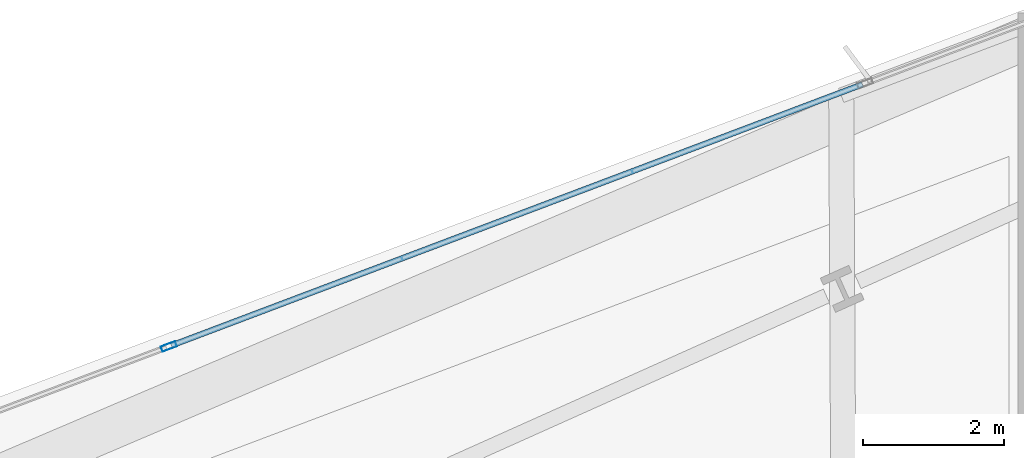
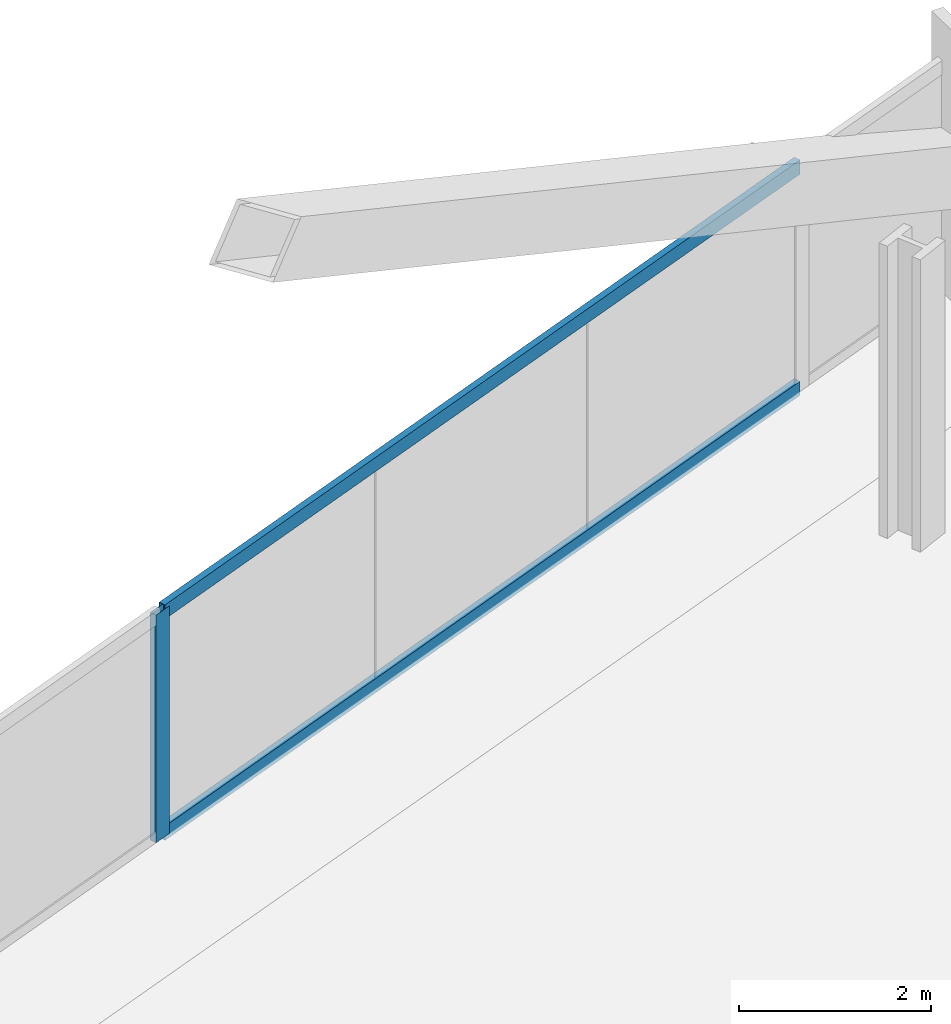
# One storey, part 20 of 37: 3 members, 1 element without a shape of its own.
"""IFC4 building model written with IfcOpenShell, lengths in metres."""

import ifcopenshell
import ifcopenshell.guid

model = None  # the IFC model being written
_history = None  # IfcOwnerHistory: only IFC2X3 demands one
_inside = {}  # id of a spatial element -> (the spatial element, [elements in it])
_under = {}  # id of a project, library or spatial element -> (it, [spatial elements below it])
_declared = {}  # id of a project -> (the project, [libraries it declares])
_typed = {}  # id of a type object -> (the type object, [elements of that type])
_made_of = {}  # id of a material, layer set ... -> (it, [elements and type objects made of it])


def new_model(schema):
    """Start an empty IFC model of exactly this schema.

    Asked for "IFC4X3", IfcOpenShell would pick the latest addendum, in which some entities
    have other attributes; the version numbers below select the first issue.
    IFC2X3 requires an IfcOwnerHistory on every rooted entity: one is made here for all.
    """
    global model, _history
    if schema == "IFC4X3":
        model = ifcopenshell.file(schema_version=(4, 3, 0, 0))
    else:
        model = ifcopenshell.file(schema=schema)
    _inside.clear()
    _under.clear()
    _declared.clear()
    _typed.clear()
    _made_of.clear()
    _history = None
    if model.schema == "IFC2X3":
        org = make("IfcOrganization", Name="unknown")
        user = make(
            "IfcPersonAndOrganization",
            ThePerson=make("IfcPerson", FamilyName="unknown"),
            TheOrganization=org,
        )
        app = make(
            "IfcApplication",
            ApplicationDeveloper=org,
            Version="unknown",
            ApplicationFullName="unknown",
            ApplicationIdentifier="unknown",
        )
        _history = make(
            "IfcOwnerHistory",
            OwningUser=user,
            OwningApplication=app,
            ChangeAction="ADDED",
            CreationDate=0,
        )
    return model


def make(cls, **values):
    """One entity of the class cls with the attributes given. An attribute that is None is left unset."""
    return model.create_entity(
        cls, **{name: value for name, value in values.items() if value is not None}
    )


def rooted(cls, **values):
    """An entity with a GlobalId (a new one), such as an element, a storey or a relation."""
    return make(cls, GlobalId=ifcopenshell.guid.new(), OwnerHistory=_history, **values)


def si_unit(unit_type, name, prefix=None):
    """IfcSIUnit, for example si_unit("LENGTHUNIT", "METRE", prefix="MILLI")."""
    return make("IfcSIUnit", UnitType=unit_type, Prefix=prefix, Name=name)


def assignment(units):
    """IfcUnitAssignment: the units of a project."""
    return None if units is None else make("IfcUnitAssignment", Units=units)


def point(xyz):
    """IfcCartesianPoint."""
    return None if xyz is None else make("IfcCartesianPoint", Coordinates=xyz)


def direction(xyz):
    """IfcDirection."""
    return None if xyz is None else make("IfcDirection", DirectionRatios=xyz)


def frame(location, z_axis=None, x_axis=None):
    """IfcAxis2Placement3D, a coordinate frame: its origin and axes. An axis left out is left unset."""
    return make(
        "IfcAxis2Placement3D",
        Location=point(location),
        Axis=direction(z_axis),
        RefDirection=direction(x_axis),
    )


def frame_2d(location, x_axis=None):
    """IfcAxis2Placement2D, a coordinate frame in the plane: its origin and x axis."""
    return make(
        "IfcAxis2Placement2D", Location=point(location), RefDirection=direction(x_axis)
    )


def origin():
    """The frame at (0, 0, 0) with its axes left unset."""
    return frame((0.0, 0.0, 0.0))


def origin_2d():
    """The frame at (0, 0) in the plane with its x axis left unset."""
    return frame_2d((0.0, 0.0))


def place(relative_to, where):
    """IfcLocalPlacement: puts the frame where relative to a parent placement (None: the world)."""
    return make(
        "IfcLocalPlacement", PlacementRelTo=relative_to, RelativePlacement=where
    )


def context(
    kind, dimensions, precision=None, world=None, true_north=None, identifier=None
):
    """IfcGeometricRepresentationContext, for example the 3D "Model" context."""
    return make(
        "IfcGeometricRepresentationContext",
        ContextIdentifier=identifier,
        ContextType=kind,
        CoordinateSpaceDimension=dimensions,
        Precision=precision,
        WorldCoordinateSystem=world,
        TrueNorth=true_north,
    )


def subcontext(parent, identifier, kind, view, scale=None):
    """IfcGeometricRepresentationSubContext, for example "Body" below "Model"."""
    return make(
        "IfcGeometricRepresentationSubContext",
        ContextIdentifier=identifier,
        ContextType=kind,
        ParentContext=parent,
        TargetScale=scale,
        TargetView=view,
    )


def project(units=None, contexts=None):
    """IfcProject with its units and contexts."""
    return rooted(
        "IfcProject",
        Name="project",
        RepresentationContexts=contexts,
        UnitsInContext=assignment(units),
    )


def spatial(cls, under=None, at=None, **own):
    """A site, building, storey or space (cls), placed at a placement, below another one or the project."""
    s = rooted(cls, ObjectPlacement=at, **own)
    if under is not None:
        _under.setdefault(under.id(), (under, []))[1].append(s)
    return s


def profile(cls, at=None, kind="AREA", **sizes):
    """A parametric profile (cls). Its sizes go by their IFC names, for example OverallWidth=200.0."""
    return make(cls, ProfileType=kind, Position=at, **sizes)


def hollow_rectangle(**sizes):
    """IfcRectangleHollowProfileDef."""
    return profile("IfcRectangleHollowProfileDef", **sizes)


def extrude(swept, where, along, depth):
    """IfcExtrudedAreaSolid: the profile swept, set in the frame where, extruded along a direction by depth."""
    return make(
        "IfcExtrudedAreaSolid",
        SweptArea=swept,
        Position=where,
        ExtrudedDirection=direction(along),
        Depth=depth,
    )


def shape(context_of_items, identifier, shape_type, items):
    """IfcShapeRepresentation: the items that make up one representation, for example the "Body"."""
    return make(
        "IfcShapeRepresentation",
        ContextOfItems=context_of_items,
        RepresentationIdentifier=identifier,
        RepresentationType=shape_type,
        Items=items,
    )


def material(Name=None, Category=None):
    """IfcMaterial."""
    return make("IfcMaterial", Name=Name, Category=Category)


def material_profile(
    of_material, cross_section, Name=None, Category=None, Priority=None
):
    """IfcMaterialProfile: a cross section and its material."""
    return make(
        "IfcMaterialProfile",
        Name=Name,
        Material=of_material,
        Profile=cross_section,
        Priority=Priority,
        Category=Category,
    )


def profile_set(profiles, Name=None, composite=None):
    """IfcMaterialProfileSet."""
    return make(
        "IfcMaterialProfileSet",
        Name=Name,
        MaterialProfiles=profiles,
        CompositeProfile=composite,
    )


def made_of(thing, what):
    """Note that an element or type object is made of a material, layer set ...; save() writes the relation."""
    if what is not None:
        _made_of.setdefault(what.id(), (what, []))[1].append(thing)
    return thing


def type_object(cls, material=None, **own):
    """A type object (cls), such as IfcWallType, which elements share."""
    return made_of(rooted(cls, **own), material)


def element(
    cls,
    number,
    at=None,
    inside=None,
    cuts=None,
    type_object=None,
    material=None,
    context=None,
    identifier="Body",
    shape_type=None,
    held_by="IfcProductDefinitionShape",
    body=None,
    shapes=None,
    **own,
):
    """One element of the class cls, such as IfcWall. Its Tag is "e" and its number.

    at: its placement. inside: the storey or other place that contains it. cuts: it is an
    opening in that element (IfcRelVoidsElement). A single representation is given by context,
    identifier, shape_type and body (its items); several are given by shapes. held_by: the class
    of the entity that holds the representations. save() writes the other relations.
    """
    e = rooted(cls, Tag="e%d" % number, ObjectPlacement=at, **own)
    if body is not None:
        shapes = [shape(context, identifier, shape_type, body)]
    if shapes is not None:
        e.Representation = make(held_by, Representations=shapes)
    if inside is not None:
        _inside.setdefault(inside.id(), (inside, []))[1].append(e)
    if cuts is not None:
        rooted(
            "IfcRelVoidsElement", RelatingBuildingElement=cuts, RelatedOpeningElement=e
        )
    if type_object is not None:
        _typed.setdefault(type_object.id(), (type_object, []))[1].append(e)
    return made_of(e, material)


def aggregate(whole, parts):
    """IfcRelAggregates: a whole, such as a stair, and the parts it consists of."""
    return rooted("IfcRelAggregates", RelatingObject=whole, RelatedObjects=parts)


def save(model, path):
    """Write the relations noted so far, then the file.

    IfcRelAggregates (storeys below a building ...), IfcRelContainedInSpatialStructure (elements
    in a storey), IfcRelDefinesByType, IfcRelAssociatesMaterial and IfcRelDeclares: one each for
    every whole, place, type object, material and project.
    """
    for whole, parts in _under.values():
        aggregate(whole, parts)
    for where, things in _inside.values():
        rooted(
            "IfcRelContainedInSpatialStructure",
            RelatedElements=things,
            RelatingStructure=where,
        )
    for kind, things in _typed.values():
        rooted("IfcRelDefinesByType", RelatedObjects=things, RelatingType=kind)
    for what, things in _made_of.values():
        rooted("IfcRelAssociatesMaterial", RelatedObjects=things, RelatingMaterial=what)
    for by, libraries in _declared.values():
        rooted("IfcRelDeclares", RelatingContext=by, RelatedDefinitions=libraries)
    model.write(path)


model = new_model("IFC4")

# Units and contexts
model_context = context("Model", 3, precision=1e-05, world=origin(), true_north=direction((0.0, 1.0)))
body_context = subcontext(model_context, "Body", "Model", "MODEL_VIEW")
ifc_project = project(units=[si_unit("LENGTHUNIT", "METRE"), si_unit("AREAUNIT", "SQUARE_METRE"), si_unit("VOLUMEUNIT", "CUBIC_METRE"), si_unit("PLANEANGLEUNIT", "RADIAN"), si_unit("MASSUNIT", "GRAM", prefix="KILO")], contexts=[model_context])

# Site, building, storey
site_placement = place(None, origin())
site = spatial("IfcSite", under=ifc_project, at=site_placement, CompositionType="ELEMENT")
building_placement = place(site_placement, origin())
building = spatial("IfcBuilding", under=site, at=building_placement, Name="Haldenkirk Collegiate Tower", CompositionType="ELEMENT")
storey_placement = place(building_placement, frame((0.0, 0.0, 97.949951171875)))
storey = spatial("IfcBuildingStorey", under=building, at=storey_placement, Name="L23", CompositionType="ELEMENT", Elevation=97.949951171875)

# Curtain wall, members
ifc_material = material(Name="Anodised architectural bronze aluminium", Category="aluminium")
curtain_wall_type = type_object("IfcCurtainWallType", Name="CW-SYS1-CONVEX-LOW", PredefinedType="USERDEFINED", material=ifc_material)
curtain_wall_placement = place(storey_placement, origin())
curtain_wall = element("IfcCurtainWall", 1, at=curtain_wall_placement, inside=storey, type_object=curtain_wall_type, Name="L23 Lower tower convex bronze-framed unitised curtain wall", ObjectType="UNITISED CURTAIN WALL", PredefinedType="USERDEFINED")
ifc_material_profile_1 = material_profile(ifc_material, hollow_rectangle(XDim=0.080078125, YDim=0.219970703125, WallThickness=0.0048828125, at=origin_2d()), Name="CW-MUL-1A")
ifc_profile_set_1 = profile_set([ifc_material_profile_1], Name="Anodised architectural bronze aluminium")
member_type_1 = type_object("IfcMemberType", Name="CW-MUL-1A", PredefinedType="MULLION", material=ifc_profile_set_1)
member_1_placement = place(storey_placement, frame((17.39306640625, 45.39501953125, 0.0), z_axis=(0.0, 0.0, 1.0), x_axis=(-0.353476419489, 0.935443435417, 0.0)))
member_1 = element("IfcMember", 2, at=member_1_placement, type_object=member_type_1, Name="CW-1A mullion 2", PredefinedType="MULLION", context=body_context, shape_type="SweptSolid", body=[
    extrude(hollow_rectangle(XDim=0.080078125, YDim=0.219970703125, WallThickness=0.0048828125, at=origin_2d()), origin(), (0.0, 0.0, 1.0), 2.901123046875),
])
ifc_material_profile_2 = material_profile(ifc_material, hollow_rectangle(XDim=0.080078125, YDim=0.179931640625, WallThickness=0.0048828125, at=origin_2d()), Name="CW-TRN-1A")
ifc_profile_set_2 = profile_set([ifc_material_profile_2], Name="Anodised architectural bronze aluminium")
member_type_2 = type_object("IfcMemberType", Name="CW-TRN-1A", PredefinedType="USERDEFINED", material=ifc_profile_set_2)
member_2_placement = place(storey_placement, frame((17.4306640625, 45.4091796875, 0.0400390625), z_axis=(0.935440740147, 0.353483552196, 0.0), x_axis=(-0.353483552196, 0.935440740147, 0.0)))
member_2 = element("IfcMember", 3, at=member_2_placement, type_object=member_type_2, Name="CW-1A transom 2.1", ObjectType="TRANSOM", PredefinedType="USERDEFINED", context=body_context, shape_type="SweptSolid", body=[
    extrude(hollow_rectangle(XDim=0.080078125, YDim=0.179931640625, WallThickness=0.0048828125, at=origin_2d()), origin(), (0.0, 0.0, 1.0), 10.469970703125),
])
member_3_placement = place(storey_placement, frame((17.4306640625, 45.4091796875, 2.861083984375), z_axis=(0.935440740147, 0.353483552196, 0.0), x_axis=(-0.353483552196, 0.935440740147, 0.0)))
member_3 = element("IfcMember", 4, at=member_3_placement, type_object=member_type_2, Name="CW-1A transom 2.2", ObjectType="TRANSOM", PredefinedType="USERDEFINED", context=body_context, shape_type="SweptSolid", body=[
    extrude(hollow_rectangle(XDim=0.080078125, YDim=0.179931640625, WallThickness=0.0048828125, at=origin_2d()), origin(), (0.0, 0.0, 1.0), 10.469970703125),
])
aggregate(curtain_wall, [member_1, member_2, member_3])

save(model, "model.ifc")
